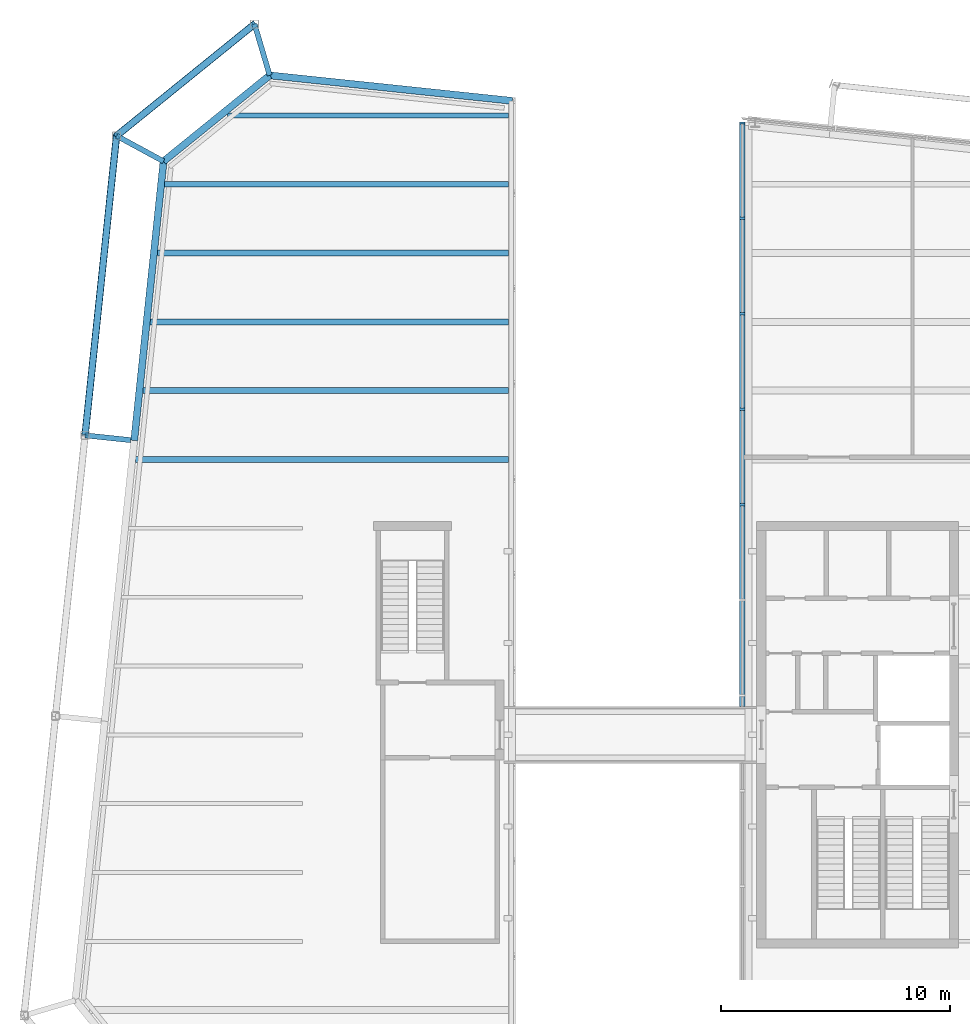
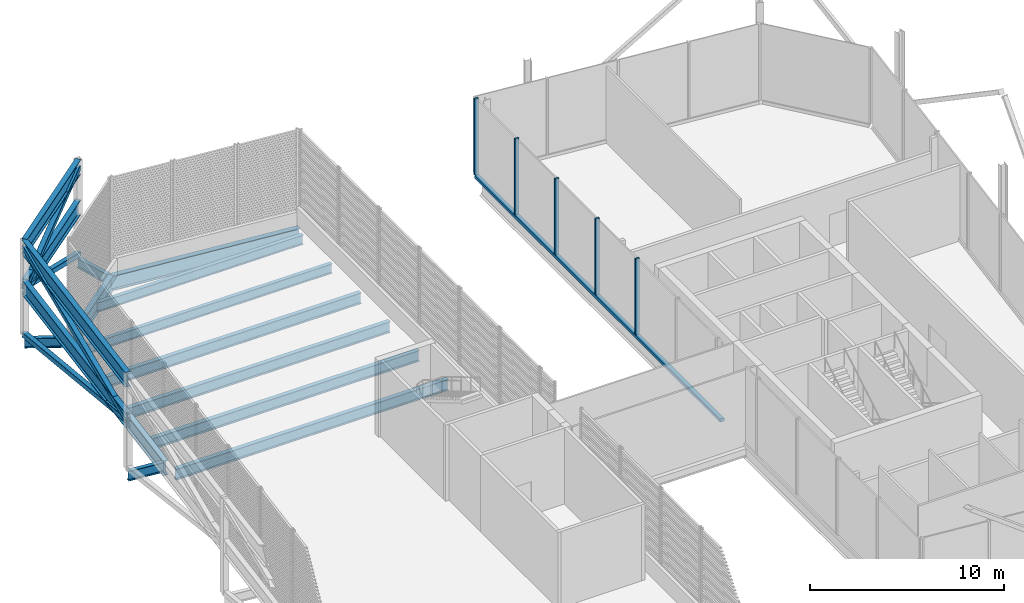
# One storey, part 7 of 15: 16 beams, 10 members, 1 element without a shape of its own.
"""IFC4 building model written with IfcOpenShell, lengths in metres."""

from ifc_helpers import new_model, si_unit, direction, frame, origin, origin_2d, place, context, subcontext, project, spatial, rectangle, hollow_rectangle, i_section, extrude, material, layer, layer_set, material_profile, profile_set, type_object, element, aggregate, save


model = new_model("IFC4")

# Units and contexts
model_context = context("Model", 3, precision=1e-05, world=origin(), true_north=direction((0.0, 1.0)))
body_context = subcontext(model_context, "Body", "Model", "MODEL_VIEW")
ifc_project = project(units=[si_unit("LENGTHUNIT", "METRE"), si_unit("AREAUNIT", "SQUARE_METRE"), si_unit("VOLUMEUNIT", "CUBIC_METRE"), si_unit("PLANEANGLEUNIT", "RADIAN"), si_unit("MASSUNIT", "GRAM", prefix="KILO")], contexts=[model_context])

# Site, building, storey
site_placement = place(None, origin())
site = spatial("IfcSite", under=ifc_project, at=site_placement, CompositionType="ELEMENT")
building_placement = place(site_placement, origin())
building = spatial("IfcBuilding", under=site, at=building_placement, Name="Millrace Tower", CompositionType="ELEMENT")
storey_placement = place(building_placement, frame((0.0, 0.0, 352.10009765625)))
storey = spatial("IfcBuildingStorey", under=building, at=storey_placement, Name="L81", CompositionType="ELEMENT", Elevation=352.10009765625)

# Members
ifc_material_1 = material(Name="Steel ASTM A500 Grade C", Category="steel")
ifc_material_profile_1 = material_profile(ifc_material_1, hollow_rectangle(XDim=0.3046875, YDim=0.3046875, WallThickness=0.0126953125, InnerFilletRadius=0.00634765625, OuterFilletRadius=0.01904296875, at=origin_2d()))
ifc_profile_set_1 = profile_set([ifc_material_profile_1], Name="Steel ASTM A500 Grade C")
member_type_1 = type_object("IfcMemberType", Name="CROWN FRAME brace HSS12x12x1/2", PredefinedType="BRACE", material=ifc_profile_set_1)
member_1_placement = place(storey_placement, frame((-16.3857421875, 30.9794921875, 0.0), z_axis=(-0.724590365617, -0.586767871081, 0.361486192713), x_axis=(0.62932438279, -0.777142728993, 0.0)))
element("IfcMember", 1, at=member_1_placement, inside=storey, type_object=member_type_1, Name="CROWN FRAME brace W.5 lo", PredefinedType="BRACE", context=body_context, shape_type="SweptSolid", body=[
    extrude(hollow_rectangle(XDim=0.3046875, YDim=0.3046875, WallThickness=0.0126953125, InnerFilletRadius=0.00634765625, OuterFilletRadius=0.01904296875, at=origin_2d()), origin(), (0.0, 0.0, 1.0), 8.299072265625),
])
member_2_placement = place(storey_placement, frame((-22.399169921875, 26.10986328125, 3.0), z_axis=(0.738481745363, 0.59801700674, 0.311480932669), x_axis=(-0.62932438279, 0.777142728993, 0.0)))
element("IfcMember", 2, at=member_2_placement, inside=storey, type_object=member_type_1, Name="CROWN FRAME brace W.5 up", PredefinedType="BRACE", context=body_context, shape_type="SweptSolid", body=[
    extrude(hollow_rectangle(XDim=0.3046875, YDim=0.3046875, WallThickness=0.0126953125, InnerFilletRadius=0.00634765625, OuterFilletRadius=0.01904296875, at=origin_2d()), origin(), (0.0, 0.0, 1.0), 8.14306640625),
])
member_3_placement = place(storey_placement, frame((-22.399169921875, 26.10986328125, 0.0), z_axis=(-0.101904082041, -0.969530048656, 0.222771279154), x_axis=(0.994521642883, -0.104530865473, 0.0)))
element("IfcMember", 3, at=member_3_placement, inside=storey, type_object=member_type_1, Name="CROWN FRAME brace W.6 lo", PredefinedType="BRACE", context=body_context, shape_type="SweptSolid", body=[
    extrude(hollow_rectangle(XDim=0.3046875, YDim=0.3046875, WallThickness=0.0126953125, InnerFilletRadius=0.00634765625, OuterFilletRadius=0.01904296875, at=origin_2d()), origin(), (0.0, 0.0, 1.0), 13.466796875),
])
member_4_placement = place(storey_placement, frame((-23.771484375, 13.053466796875, 3.0), z_axis=(0.102632982862, 0.976464915584, 0.189691168646), x_axis=(-0.994521642883, 0.104530865473, 0.0)))
element("IfcMember", 4, at=member_4_placement, inside=storey, type_object=member_type_1, Name="CROWN FRAME brace W.6 up", PredefinedType="BRACE", context=body_context, shape_type="SweptSolid", body=[
    extrude(hollow_rectangle(XDim=0.3046875, YDim=0.3046875, WallThickness=0.0126953125, InnerFilletRadius=0.00634765625, OuterFilletRadius=0.01904296875, at=origin_2d()), origin(), (0.0, 0.0, 1.0), 13.37109375),
])

# Beams
ifc_material_2 = material(Name="Steel ASTM A992 Grade 50", Category="steel")
ifc_material_profile_2 = material_profile(ifc_material_2, i_section(OverallWidth=0.307373046875, OverallDepth=0.927001953125, WebThickness=0.01953125, FlangeThickness=0.031982421875, FilletRadius=0.01904296875, at=origin_2d()))
ifc_profile_set_2 = profile_set([ifc_material_profile_2], Name="Steel ASTM A992 Grade 50")
beam_type_1 = type_object("IfcBeamType", Name="CROWN FRAME ring beam W36x194", PredefinedType="BEAM", material=ifc_profile_set_2)
for number, where, z_axis, x_axis, name in (
    (5, (-16.3857421875, 30.9794921875, 3.0), (-0.777142728993, -0.62932438279, 0.0), (0.62932438279, -0.777142728993, 0.0), "CROWN FRAME ring beam W.5 mid"),
    (6, (-16.3857421875, 30.9794921875, 5.536376953125), (-0.777142728993, -0.62932438279, 0.0), (0.62932438279, -0.777142728993, 0.0), "CROWN FRAME ring beam W.5 top"),
):
    element("IfcBeam", number, at=place(storey_placement, frame(where, z_axis=z_axis, x_axis=x_axis)), inside=storey, type_object=beam_type_1, Name=name, PredefinedType="BEAM", context=body_context, shape_type="SweptSolid", body=[
        extrude(i_section(OverallWidth=0.307373046875, OverallDepth=0.927001953125, WebThickness=0.01953125, FlangeThickness=0.031982421875, FilletRadius=0.01904296875, at=origin_2d()), origin(), (0.0, 0.0, 1.0), 7.73779296875),
    ])
for number, where, z_axis, x_axis, name in (
    (7, (-22.399169921875, 26.10986328125, 3.0), (-0.104530865473, -0.994521642883, 0.0), (0.994521642883, -0.104530865473, 0.0), "CROWN FRAME ring beam W.6 mid"),
    (8, (-22.399169921875, 26.10986328125, 5.536376953125), (-0.104530865473, -0.994521642883, 0.0), (0.994521642883, -0.104530865473, 0.0), "CROWN FRAME ring beam W.6 top"),
):
    element("IfcBeam", number, at=place(storey_placement, frame(where, z_axis=z_axis, x_axis=x_axis)), inside=storey, type_object=beam_type_1, Name=name, PredefinedType="BEAM", context=body_context, shape_type="SweptSolid", body=[
        extrude(i_section(OverallWidth=0.307373046875, OverallDepth=0.927001953125, WebThickness=0.01953125, FlangeThickness=0.031982421875, FilletRadius=0.01904296875, at=origin_2d()), origin(), (0.0, 0.0, 1.0), 13.12841796875),
    ])

# Curtain wall, members
ifc_material_3 = material(Name="Aluminium and glass", Category="aluminium")
ifc_layer = layer(ifc_material_3, 0.25)
ifc_layer_set = layer_set([ifc_layer], Name="Aluminium and glass")
curtain_wall_type = type_object("IfcCurtainWallType", Name="CW-7 crown louvred enclosure", PredefinedType="NOTDEFINED", material=ifc_layer_set)
curtain_wall_placement = place(storey_placement, origin())
curtain_wall = element("IfcCurtainWall", 9, at=curtain_wall_placement, inside=storey, type_object=curtain_wall_type, Name="Curtain wall CE-F01 L81", PredefinedType="NOTDEFINED")
ifc_material_4 = material(Name="Aluminium", Category="aluminium")
ifc_material_profile_3 = material_profile(ifc_material_4, rectangle(XDim=0.10009765625, YDim=0.25, at=origin_2d()))
ifc_profile_set_3 = profile_set([ifc_material_profile_3], Name="Aluminium")
member_type_2 = type_object("IfcMemberType", Name="CW-7 crown louvred enclosure mullion", PredefinedType="MULLION", material=ifc_profile_set_3)
member_5_placement = place(storey_placement, frame((4.875, 26.6708984375, 0.199951171875), z_axis=(0.0, 0.0, 1.0), x_axis=(0.0, -1.0, 0.0)))
member_5 = element("IfcMember", 10, at=member_5_placement, type_object=member_type_2, Name="CW7 mullion CE-F01.1", PredefinedType="MULLION", context=body_context, shape_type="SweptSolid", body=[
    extrude(rectangle(XDim=0.10009765625, YDim=0.25, at=origin_2d()), origin(), (0.0, 0.0, 1.0), 4.800048828125),
])
member_6_placement = place(storey_placement, frame((4.875, 22.51171875, 0.199951171875), z_axis=(0.0, 0.0, 1.0), x_axis=(0.0, -1.0, 0.0)))
member_6 = element("IfcMember", 11, at=member_6_placement, type_object=member_type_2, Name="CW7 mullion CE-F01.2", PredefinedType="MULLION", context=body_context, shape_type="SweptSolid", body=[
    extrude(rectangle(XDim=0.10009765625, YDim=0.25, at=origin_2d()), origin(), (0.0, 0.0, 1.0), 4.800048828125),
])
member_7_placement = place(storey_placement, frame((4.875, 18.3525390625, 0.199951171875), z_axis=(0.0, 0.0, 1.0), x_axis=(0.0, -1.0, 0.0)))
member_7 = element("IfcMember", 12, at=member_7_placement, type_object=member_type_2, Name="CW7 mullion CE-F01.3", PredefinedType="MULLION", context=body_context, shape_type="SweptSolid", body=[
    extrude(rectangle(XDim=0.10009765625, YDim=0.25, at=origin_2d()), origin(), (0.0, 0.0, 1.0), 4.800048828125),
])
member_8_placement = place(storey_placement, frame((4.875, 14.193359375, 0.199951171875), z_axis=(0.0, 0.0, 1.0), x_axis=(0.0, -1.0, 0.0)))
member_8 = element("IfcMember", 13, at=member_8_placement, type_object=member_type_2, Name="CW7 mullion CE-F01.4", PredefinedType="MULLION", context=body_context, shape_type="SweptSolid", body=[
    extrude(rectangle(XDim=0.10009765625, YDim=0.25, at=origin_2d()), origin(), (0.0, 0.0, 1.0), 4.800048828125),
])
member_9_placement = place(storey_placement, frame((4.875, 10.0341796875, 0.199951171875), z_axis=(0.0, 0.0, 1.0), x_axis=(0.0, -1.0, 0.0)))
member_9 = element("IfcMember", 14, at=member_9_placement, type_object=member_type_2, Name="CW7 mullion CE-F01.5", PredefinedType="MULLION", context=body_context, shape_type="SweptSolid", body=[
    extrude(rectangle(XDim=0.10009765625, YDim=0.25, at=origin_2d()), origin(), (0.0, 0.0, 1.0), 4.800048828125),
])
ifc_material_5 = material(Name="Aluminium", Category="aluminium")
ifc_material_profile_4 = material_profile(ifc_material_5, rectangle(XDim=0.25, YDim=0.199951171875, at=origin_2d()))
ifc_profile_set_4 = profile_set([ifc_material_profile_4], Name="Aluminium")
member_type_3 = type_object("IfcMemberType", Name="CW-7 crown louvred enclosure transom", PredefinedType="USERDEFINED", material=ifc_profile_set_4)
member_10_placement = place(storey_placement, frame((4.875, 1.239990234375, 0.099853515625), z_axis=(0.0, 1.0, 0.0), x_axis=(-1.0, 0.0, 0.0)))
member_10 = element("IfcMember", 15, at=member_10_placement, type_object=member_type_3, Name="CW7 transom CE-F01.1", ObjectType="TRANSOM", PredefinedType="USERDEFINED", context=body_context, shape_type="SweptSolid", body=[
    extrude(rectangle(XDim=0.25, YDim=0.199951171875, at=origin_2d()), origin(), (0.0, 0.0, 1.0), 25.380859375),
])
aggregate(curtain_wall, [member_5, member_6, member_7, member_8, member_9, member_10])

# Beams
ifc_material_6 = material(Name="Steel ASTM A992 Grade 50", Category="steel")
ifc_material_profile_5 = material_profile(ifc_material_6, i_section(OverallWidth=0.228271484375, OverallDepth=0.607177734375, WebThickness=0.01123046875, FlangeThickness=0.017333984375, FilletRadius=0.0126953125, at=origin_2d()))
ifc_profile_set_5 = profile_set([ifc_material_profile_5], Name="Steel ASTM A992 Grade 50")
beam_type_2 = type_object("IfcBeamType", Name="Floor beam W24x76", PredefinedType="JOIST", material=ifc_profile_set_5)
beam_1_placement = place(storey_placement, frame((-20.301025390625, 24.0, -0.503662109375), z_axis=(1.0, 0.0, 0.0), x_axis=(0.0, 1.0, 0.0)))
element("IfcBeam", 16, at=beam_1_placement, inside=storey, type_object=beam_type_2, Name="BM-CROWN-L81-SW-S014", PredefinedType="JOIST", context=body_context, shape_type="SweptSolid", body=[
    extrude(i_section(OverallWidth=0.228271484375, OverallDepth=0.607177734375, WebThickness=0.01123046875, FlangeThickness=0.017333984375, FilletRadius=0.0126953125, at=origin_2d()), origin(), (0.0, 0.0, 1.0), 14.99365234375),
])
beam_2_placement = place(storey_placement, frame((-17.565673828125, 27.0, -0.503662109375), z_axis=(1.0, 0.0, 0.0), x_axis=(0.0, 1.0, 0.0)))
element("IfcBeam", 17, at=beam_2_placement, inside=storey, type_object=beam_type_2, Name="BM-CROWN-L81-SW-S015", PredefinedType="JOIST", context=body_context, shape_type="SweptSolid", body=[
    extrude(i_section(OverallWidth=0.228271484375, OverallDepth=0.607177734375, WebThickness=0.01123046875, FlangeThickness=0.017333984375, FilletRadius=0.0126953125, at=origin_2d()), origin(), (0.0, 0.0, 1.0), 12.25830078125),
])
ifc_material_7 = material(Name="Steel ASTM A992 Grade 50", Category="steel")
ifc_material_profile_6 = material_profile(ifc_material_7, i_section(OverallWidth=0.256591796875, OverallDepth=0.693359375, WebThickness=0.014404296875, FlangeThickness=0.023681640625, FilletRadius=0.01513671875, at=origin_2d()))
ifc_profile_set_6 = profile_set([ifc_material_profile_6], Name="Steel ASTM A992 Grade 50")
beam_type_3 = type_object("IfcBeamType", Name="Floor beam W27x114", PredefinedType="JOIST", material=ifc_profile_set_6)
beam_3_placement = place(storey_placement, frame((-21.562255859375, 12.0, -0.546875), z_axis=(1.0, 0.0, 0.0), x_axis=(0.0, 1.0, 0.0)))
element("IfcBeam", 18, at=beam_3_placement, inside=storey, type_object=beam_type_3, Name="BM-CROWN-L81-SW-S010", PredefinedType="JOIST", context=body_context, shape_type="SweptSolid", body=[
    extrude(i_section(OverallWidth=0.256591796875, OverallDepth=0.693359375, WebThickness=0.014404296875, FlangeThickness=0.023681640625, FilletRadius=0.01513671875, at=origin_2d()), origin(), (0.0, 0.0, 1.0), 16.2548828125),
])
beam_4_placement = place(storey_placement, frame((-21.246826171875, 15.0, -0.546875), z_axis=(1.0, 0.0, 0.0), x_axis=(0.0, 1.0, 0.0)))
element("IfcBeam", 19, at=beam_4_placement, inside=storey, type_object=beam_type_3, Name="BM-CROWN-L81-SW-S011", PredefinedType="JOIST", context=body_context, shape_type="SweptSolid", body=[
    extrude(i_section(OverallWidth=0.256591796875, OverallDepth=0.693359375, WebThickness=0.014404296875, FlangeThickness=0.023681640625, FilletRadius=0.01513671875, at=origin_2d()), origin(), (0.0, 0.0, 1.0), 15.939453125),
])
beam_5_placement = place(storey_placement, frame((-20.931640625, 18.0, -0.546875), z_axis=(1.0, 0.0, 0.0), x_axis=(0.0, 1.0, 0.0)))
element("IfcBeam", 20, at=beam_5_placement, inside=storey, type_object=beam_type_3, Name="BM-CROWN-L81-SW-S012", PredefinedType="JOIST", context=body_context, shape_type="SweptSolid", body=[
    extrude(i_section(OverallWidth=0.256591796875, OverallDepth=0.693359375, WebThickness=0.014404296875, FlangeThickness=0.023681640625, FilletRadius=0.01513671875, at=origin_2d()), origin(), (0.0, 0.0, 1.0), 15.624267578125),
])
beam_6_placement = place(storey_placement, frame((-20.6162109375, 21.0, -0.546875), z_axis=(1.0, 0.0, 0.0), x_axis=(0.0, 1.0, 0.0)))
element("IfcBeam", 21, at=beam_6_placement, inside=storey, type_object=beam_type_3, Name="BM-CROWN-L81-SW-S013", PredefinedType="JOIST", context=body_context, shape_type="SweptSolid", body=[
    extrude(i_section(OverallWidth=0.256591796875, OverallDepth=0.693359375, WebThickness=0.014404296875, FlangeThickness=0.023681640625, FilletRadius=0.01513671875, at=origin_2d()), origin(), (0.0, 0.0, 1.0), 15.308837890625),
])
ifc_material_8 = material(Name="Steel ASTM A992 Grade 50", Category="steel")
ifc_material_profile_7 = material_profile(ifc_material_8, i_section(OverallWidth=0.23046875, OverallDepth=0.6171875, WebThickness=0.01318359375, FlangeThickness=0.022216796875, FilletRadius=0.012939453125, at=origin_2d()))
ifc_profile_set_7 = profile_set([ifc_material_profile_7], Name="Steel ASTM A992 Grade 50")
beam_type_4 = type_object("IfcBeamType", Name="Link beam W24x94", PredefinedType="BEAM", material=ifc_profile_set_7)
beam_7_placement = place(storey_placement, frame((-21.782470703125, 12.84423828125, -0.5087890625), z_axis=(-0.994512808172, 0.104614886044, 0.0), x_axis=(-0.104614886044, -0.994512808172, 0.0)))
element("IfcBeam", 22, at=beam_7_placement, inside=storey, type_object=beam_type_4, Name="LNK-CROWN-L81-SW-05", PredefinedType="BEAM", context=body_context, shape_type="SweptSolid", body=[
    extrude(i_section(OverallWidth=0.23046875, OverallDepth=0.6171875, WebThickness=0.01318359375, FlangeThickness=0.022216796875, FilletRadius=0.012939453125, at=origin_2d()), origin(), (0.0, 0.0, 1.0), 2.0),
])
for number, where, z_axis, x_axis, name in (
    (23, (-20.3505859375, 24.99755859375, -0.5087890625), (-0.87881453358, 0.477163510307, 0.0), (-0.477163510307, -0.87881453358, 0.0), "LNK-CROWN-L81-SW-06"),
    (24, (-15.7236328125, 28.744384765625, -0.5087890625), (-0.284031275065, 0.958815015936, 0.0), (-0.958815015936, -0.284031275065, 0.0), "LNK-CROWN-L81-SW-07"),
):
    element("IfcBeam", number, at=place(storey_placement, frame(where, z_axis=z_axis, x_axis=x_axis)), inside=storey, type_object=beam_type_4, Name=name, PredefinedType="BEAM", context=body_context, shape_type="SweptSolid", body=[
        extrude(i_section(OverallWidth=0.23046875, OverallDepth=0.6171875, WebThickness=0.01318359375, FlangeThickness=0.022216796875, FilletRadius=0.012939453125, at=origin_2d()), origin(), (0.0, 0.0, 1.0), 2.3310546875),
    ])
ifc_material_9 = material(Name="Steel ASTM A992 Grade 50", Category="steel")
ifc_material_profile_8 = material_profile(ifc_material_9, i_section(OverallWidth=0.307373046875, OverallDepth=0.927001953125, WebThickness=0.01953125, FlangeThickness=0.031982421875, FilletRadius=0.01904296875, at=origin_2d()))
ifc_profile_set_8 = profile_set([ifc_material_profile_8], Name="Steel ASTM A992 Grade 50")
beam_type_5 = type_object("IfcBeamType", Name="Ring beam medium span W36x194", PredefinedType="SPANDREL", material=ifc_profile_set_8)
beam_8_placement = place(storey_placement, frame((-21.629638671875, 12.828369140625, -0.66357421875), z_axis=(0.104530030035, 0.994521730693, 0.0), x_axis=(-0.994521730693, 0.104530030035, 0.0)))
element("IfcBeam", 25, at=beam_8_placement, inside=storey, type_object=beam_type_5, Name="RNG-CROWN-L81-SW-05", PredefinedType="SPANDREL", context=body_context, shape_type="SweptSolid", body=[
    extrude(i_section(OverallWidth=0.307373046875, OverallDepth=0.927001953125, WebThickness=0.01953125, FlangeThickness=0.031982421875, FilletRadius=0.01904296875, at=origin_2d()), origin(), (0.0, 0.0, 1.0), 12.236328125),
])
ifc_material_10 = material(Name="Steel ASTM A992 Grade 50", Category="steel")
ifc_material_profile_9 = material_profile(ifc_material_10, i_section(OverallWidth=0.307373046875, OverallDepth=0.927001953125, WebThickness=0.01953125, FlangeThickness=0.031982421875, FilletRadius=0.01904296875, at=origin_2d()))
ifc_profile_set_9 = profile_set([ifc_material_profile_9], Name="Steel ASTM A992 Grade 50")
beam_type_6 = type_object("IfcBeamType", Name="Ring beam short span W36x194", PredefinedType="SPANDREL", material=ifc_profile_set_9)
beam_9_placement = place(storey_placement, frame((-20.3505859375, 24.99755859375, -0.66357421875), z_axis=(0.777146502883, 0.629319722443, 0.0), x_axis=(-0.629319722443, 0.777146502883, 0.0)))
element("IfcBeam", 26, at=beam_9_placement, inside=storey, type_object=beam_type_6, Name="RNG-CROWN-L81-SW-06", PredefinedType="SPANDREL", context=body_context, shape_type="SweptSolid", body=[
    extrude(i_section(OverallWidth=0.307373046875, OverallDepth=0.927001953125, WebThickness=0.01953125, FlangeThickness=0.031982421875, FilletRadius=0.01904296875, at=origin_2d()), origin(), (0.0, 0.0, 1.0), 5.953857421875),
])
beam_10_placement = place(storey_placement, frame((-15.7236328125, 28.744384765625, -0.66357421875), z_axis=(0.994523060308, -0.104517379014, 0.0), x_axis=(0.104517379014, 0.994523060308, 0.0)))
element("IfcBeam", 27, at=beam_10_placement, inside=storey, type_object=beam_type_6, Name="RNG-CROWN-L81-SW-07", PredefinedType="SPANDREL", context=body_context, shape_type="SweptSolid", body=[
    extrude(i_section(OverallWidth=0.307373046875, OverallDepth=0.927001953125, WebThickness=0.01953125, FlangeThickness=0.031982421875, FilletRadius=0.01904296875, at=origin_2d()), origin(), (0.0, 0.0, 1.0), 10.628173828125),
])

save(model, "model.ifc")
